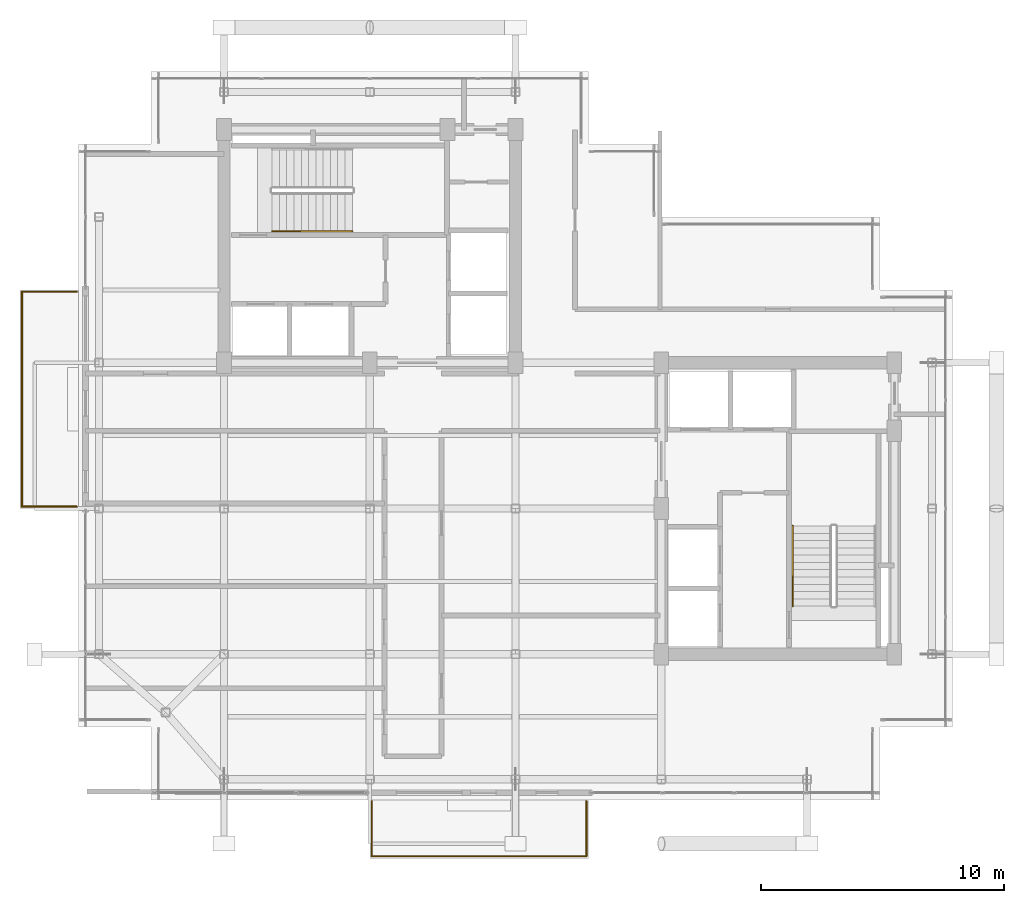
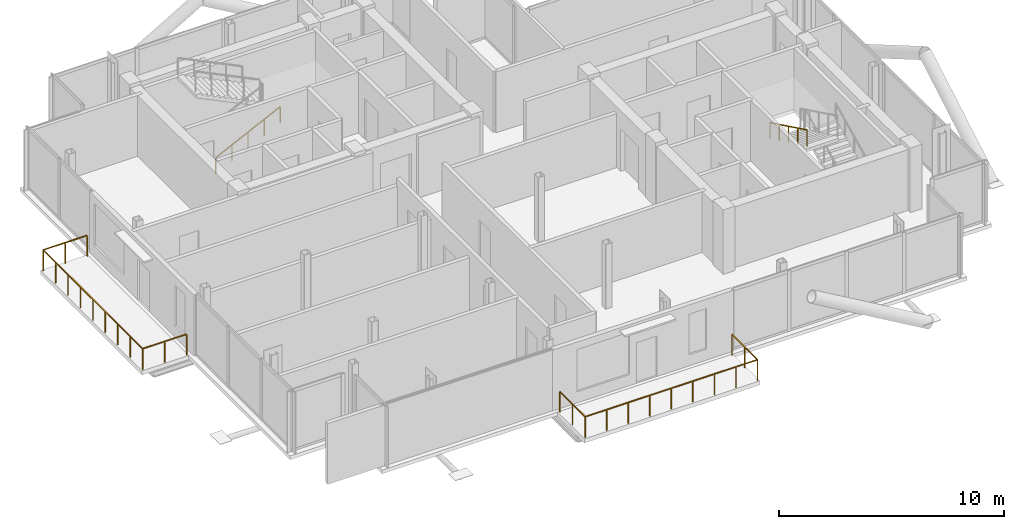
# One storey, part 17 of 18: 4 railings.
"""IFC4 building model written with IfcOpenShell, lengths in metres."""

import ifcopenshell
import ifcopenshell.guid

model = None  # the IFC model being written
_history = None  # IfcOwnerHistory: only IFC2X3 demands one
_inside = {}  # id of a spatial element -> (the spatial element, [elements in it])
_under = {}  # id of a project, library or spatial element -> (it, [spatial elements below it])
_declared = {}  # id of a project -> (the project, [libraries it declares])
_typed = {}  # id of a type object -> (the type object, [elements of that type])
_made_of = {}  # id of a material, layer set ... -> (it, [elements and type objects made of it])


def new_model(schema):
    """Start an empty IFC model of exactly this schema.

    Asked for "IFC4X3", IfcOpenShell would pick the latest addendum, in which some entities
    have other attributes; the version numbers below select the first issue.
    IFC2X3 requires an IfcOwnerHistory on every rooted entity: one is made here for all.
    """
    global model, _history
    if schema == "IFC4X3":
        model = ifcopenshell.file(schema_version=(4, 3, 0, 0))
    else:
        model = ifcopenshell.file(schema=schema)
    _inside.clear()
    _under.clear()
    _declared.clear()
    _typed.clear()
    _made_of.clear()
    _history = None
    if model.schema == "IFC2X3":
        org = make("IfcOrganization", Name="unknown")
        user = make(
            "IfcPersonAndOrganization",
            ThePerson=make("IfcPerson", FamilyName="unknown"),
            TheOrganization=org,
        )
        app = make(
            "IfcApplication",
            ApplicationDeveloper=org,
            Version="unknown",
            ApplicationFullName="unknown",
            ApplicationIdentifier="unknown",
        )
        _history = make(
            "IfcOwnerHistory",
            OwningUser=user,
            OwningApplication=app,
            ChangeAction="ADDED",
            CreationDate=0,
        )
    return model


def make(cls, **values):
    """One entity of the class cls with the attributes given. An attribute that is None is left unset."""
    return model.create_entity(
        cls, **{name: value for name, value in values.items() if value is not None}
    )


def rooted(cls, **values):
    """An entity with a GlobalId (a new one), such as an element, a storey or a relation."""
    return make(cls, GlobalId=ifcopenshell.guid.new(), OwnerHistory=_history, **values)


def si_unit(unit_type, name, prefix=None):
    """IfcSIUnit, for example si_unit("LENGTHUNIT", "METRE", prefix="MILLI")."""
    return make("IfcSIUnit", UnitType=unit_type, Prefix=prefix, Name=name)


def assignment(units):
    """IfcUnitAssignment: the units of a project."""
    return None if units is None else make("IfcUnitAssignment", Units=units)


def point(xyz):
    """IfcCartesianPoint."""
    return None if xyz is None else make("IfcCartesianPoint", Coordinates=xyz)


def direction(xyz):
    """IfcDirection."""
    return None if xyz is None else make("IfcDirection", DirectionRatios=xyz)


def frame(location, z_axis=None, x_axis=None):
    """IfcAxis2Placement3D, a coordinate frame: its origin and axes. An axis left out is left unset."""
    return make(
        "IfcAxis2Placement3D",
        Location=point(location),
        Axis=direction(z_axis),
        RefDirection=direction(x_axis),
    )


def frame_2d(location, x_axis=None):
    """IfcAxis2Placement2D, a coordinate frame in the plane: its origin and x axis."""
    return make(
        "IfcAxis2Placement2D", Location=point(location), RefDirection=direction(x_axis)
    )


def origin():
    """The frame at (0, 0, 0) with its axes left unset."""
    return frame((0.0, 0.0, 0.0))


def origin_2d():
    """The frame at (0, 0) in the plane with its x axis left unset."""
    return frame_2d((0.0, 0.0))


def place(relative_to, where):
    """IfcLocalPlacement: puts the frame where relative to a parent placement (None: the world)."""
    return make(
        "IfcLocalPlacement", PlacementRelTo=relative_to, RelativePlacement=where
    )


def context(
    kind, dimensions, precision=None, world=None, true_north=None, identifier=None
):
    """IfcGeometricRepresentationContext, for example the 3D "Model" context."""
    return make(
        "IfcGeometricRepresentationContext",
        ContextIdentifier=identifier,
        ContextType=kind,
        CoordinateSpaceDimension=dimensions,
        Precision=precision,
        WorldCoordinateSystem=world,
        TrueNorth=true_north,
    )


def subcontext(parent, identifier, kind, view, scale=None):
    """IfcGeometricRepresentationSubContext, for example "Body" below "Model"."""
    return make(
        "IfcGeometricRepresentationSubContext",
        ContextIdentifier=identifier,
        ContextType=kind,
        ParentContext=parent,
        TargetScale=scale,
        TargetView=view,
    )


def project(units=None, contexts=None):
    """IfcProject with its units and contexts."""
    return rooted(
        "IfcProject",
        Name="project",
        RepresentationContexts=contexts,
        UnitsInContext=assignment(units),
    )


def spatial(cls, under=None, at=None, **own):
    """A site, building, storey or space (cls), placed at a placement, below another one or the project."""
    s = rooted(cls, ObjectPlacement=at, **own)
    if under is not None:
        _under.setdefault(under.id(), (under, []))[1].append(s)
    return s


def profile(cls, at=None, kind="AREA", **sizes):
    """A parametric profile (cls). Its sizes go by their IFC names, for example OverallWidth=200.0."""
    return make(cls, ProfileType=kind, Position=at, **sizes)


def rectangle(**sizes):
    """IfcRectangleProfileDef."""
    return profile("IfcRectangleProfileDef", **sizes)


def extrude(swept, where, along, depth):
    """IfcExtrudedAreaSolid: the profile swept, set in the frame where, extruded along a direction by depth."""
    return make(
        "IfcExtrudedAreaSolid",
        SweptArea=swept,
        Position=where,
        ExtrudedDirection=direction(along),
        Depth=depth,
    )


def shape(context_of_items, identifier, shape_type, items):
    """IfcShapeRepresentation: the items that make up one representation, for example the "Body"."""
    return make(
        "IfcShapeRepresentation",
        ContextOfItems=context_of_items,
        RepresentationIdentifier=identifier,
        RepresentationType=shape_type,
        Items=items,
    )


def material(Name=None, Category=None):
    """IfcMaterial."""
    return make("IfcMaterial", Name=Name, Category=Category)


def made_of(thing, what):
    """Note that an element or type object is made of a material, layer set ...; save() writes the relation."""
    if what is not None:
        _made_of.setdefault(what.id(), (what, []))[1].append(thing)
    return thing


def type_object(cls, material=None, **own):
    """A type object (cls), such as IfcWallType, which elements share."""
    return made_of(rooted(cls, **own), material)


def element(
    cls,
    number,
    at=None,
    inside=None,
    cuts=None,
    type_object=None,
    material=None,
    context=None,
    identifier="Body",
    shape_type=None,
    held_by="IfcProductDefinitionShape",
    body=None,
    shapes=None,
    **own,
):
    """One element of the class cls, such as IfcWall. Its Tag is "e" and its number.

    at: its placement. inside: the storey or other place that contains it. cuts: it is an
    opening in that element (IfcRelVoidsElement). A single representation is given by context,
    identifier, shape_type and body (its items); several are given by shapes. held_by: the class
    of the entity that holds the representations. save() writes the other relations.
    """
    e = rooted(cls, Tag="e%d" % number, ObjectPlacement=at, **own)
    if body is not None:
        shapes = [shape(context, identifier, shape_type, body)]
    if shapes is not None:
        e.Representation = make(held_by, Representations=shapes)
    if inside is not None:
        _inside.setdefault(inside.id(), (inside, []))[1].append(e)
    if cuts is not None:
        rooted(
            "IfcRelVoidsElement", RelatingBuildingElement=cuts, RelatedOpeningElement=e
        )
    if type_object is not None:
        _typed.setdefault(type_object.id(), (type_object, []))[1].append(e)
    return made_of(e, material)


def aggregate(whole, parts):
    """IfcRelAggregates: a whole, such as a stair, and the parts it consists of."""
    return rooted("IfcRelAggregates", RelatingObject=whole, RelatedObjects=parts)


def save(model, path):
    """Write the relations noted so far, then the file.

    IfcRelAggregates (storeys below a building ...), IfcRelContainedInSpatialStructure (elements
    in a storey), IfcRelDefinesByType, IfcRelAssociatesMaterial and IfcRelDeclares: one each for
    every whole, place, type object, material and project.
    """
    for whole, parts in _under.values():
        aggregate(whole, parts)
    for where, things in _inside.values():
        rooted(
            "IfcRelContainedInSpatialStructure",
            RelatedElements=things,
            RelatingStructure=where,
        )
    for kind, things in _typed.values():
        rooted("IfcRelDefinesByType", RelatedObjects=things, RelatingType=kind)
    for what, things in _made_of.values():
        rooted("IfcRelAssociatesMaterial", RelatedObjects=things, RelatingMaterial=what)
    for by, libraries in _declared.values():
        rooted("IfcRelDeclares", RelatingContext=by, RelatedDefinitions=libraries)
    model.write(path)


model = new_model("IFC4")

# Units and contexts
model_context = context("Model", 3, precision=1e-05, world=origin(), true_north=direction((0.0, 1.0)))
body_context = subcontext(model_context, "Body", "Model", "MODEL_VIEW")
ifc_project = project(units=[si_unit("LENGTHUNIT", "METRE"), si_unit("AREAUNIT", "SQUARE_METRE"), si_unit("VOLUMEUNIT", "CUBIC_METRE"), si_unit("PLANEANGLEUNIT", "RADIAN"), si_unit("MASSUNIT", "GRAM", prefix="KILO"), si_unit("THERMODYNAMICTEMPERATUREUNIT", "KELVIN"), si_unit("POWERUNIT", "WATT")], contexts=[model_context])

# Site, building, storey
site_placement = place(None, origin())
site = spatial("IfcSite", under=ifc_project, at=site_placement, CompositionType="ELEMENT")
building_placement = place(site_placement, origin())
building = spatial("IfcBuilding", under=site, at=building_placement, Name="Svarakhadi Broadcast Tower", CompositionType="ELEMENT")
storey_placement = place(building_placement, frame((0.0, 0.0, 278.199951171875)))
storey = spatial("IfcBuildingStorey", under=building, at=storey_placement, Name="L70", CompositionType="ELEMENT", Elevation=278.199951171875)

# Railings
ifc_material_1 = material(Name="Laminated Structural SentryGlas Balustrade 25.5 mm", Category="glass")
railing_type_1 = type_object("IfcRailingType", Name="Guard_Balcony_GR01", PredefinedType="BALUSTRADE", material=ifc_material_1)
railing_1_placement = place(storey_placement, frame((12.080078125, -0.06005859375, 0.0)))
element("IfcRailing", 1, at=railing_1_placement, inside=storey, type_object=railing_type_1, Name="L70 South Tree Balcony Guard GR-05", PredefinedType="BALUSTRADE", context=body_context, shape_type="SweptSolid", body=[
    extrude(rectangle(XDim=0.048095703125, YDim=0.048095703125, at=origin_2d()), frame((0.0, 0.0, 1.1259765625), z_axis=(0.0, -1.0, 0.0), x_axis=(1.0, 0.0, 0.0)), (0.0, 0.0, 1.0), 2.260009765625),
    extrude(rectangle(XDim=0.048095703125, YDim=0.048095703125, at=origin_2d()), frame((0.0, -2.260009765625, 1.1259765625), z_axis=(1.0, 0.0, 0.0), x_axis=(0.0, 1.0, 0.0)), (0.0, 0.0, 1.0), 8.83984375),
    extrude(rectangle(XDim=0.048095703125, YDim=0.048095703125, at=origin_2d()), frame((8.83984375, -2.260009765625, 1.1259765625), z_axis=(0.0, 1.0, 0.0), x_axis=(-1.0, 0.0, 0.0)), (0.0, 0.0, 1.0), 2.260009765625),
    extrude(rectangle(XDim=0.0419921875, YDim=0.0419921875, at=origin_2d()), origin(), (0.0, 0.0, 1.0), 1.101806640625),
    extrude(rectangle(XDim=0.0419921875, YDim=0.0419921875, at=origin_2d()), frame((0.0, -1.1298828125, 0.0)), (0.0, 0.0, 1.0), 1.101806640625),
    extrude(rectangle(XDim=0.0419921875, YDim=0.0419921875, at=origin_2d()), frame((0.0, -2.260009765625, 0.0)), (0.0, 0.0, 1.0), 1.101806640625),
    extrude(rectangle(XDim=0.0419921875, YDim=0.0419921875, at=origin_2d()), frame((1.10498046875, -2.260009765625, 0.0)), (0.0, 0.0, 1.0), 1.101806640625),
    extrude(rectangle(XDim=0.0419921875, YDim=0.0419921875, at=origin_2d()), frame((2.2099609375, -2.260009765625, 0.0)), (0.0, 0.0, 1.0), 1.101806640625),
    extrude(rectangle(XDim=0.0419921875, YDim=0.0419921875, at=origin_2d()), frame((3.31494140625, -2.260009765625, 0.0)), (0.0, 0.0, 1.0), 1.101806640625),
    extrude(rectangle(XDim=0.0419921875, YDim=0.0419921875, at=origin_2d()), frame((4.419921875, -2.260009765625, 0.0)), (0.0, 0.0, 1.0), 1.101806640625),
    extrude(rectangle(XDim=0.0419921875, YDim=0.0419921875, at=origin_2d()), frame((5.52490234375, -2.260009765625, 0.0)), (0.0, 0.0, 1.0), 1.101806640625),
    extrude(rectangle(XDim=0.0419921875, YDim=0.0419921875, at=origin_2d()), frame((6.6298828125, -2.260009765625, 0.0)), (0.0, 0.0, 1.0), 1.101806640625),
    extrude(rectangle(XDim=0.0419921875, YDim=0.0419921875, at=origin_2d()), frame((7.73486328125, -2.260009765625, 0.0)), (0.0, 0.0, 1.0), 1.101806640625),
    extrude(rectangle(XDim=0.0419921875, YDim=0.0419921875, at=origin_2d()), frame((8.83984375, -2.260009765625, 0.0)), (0.0, 0.0, 1.0), 1.101806640625),
    extrude(rectangle(XDim=0.0419921875, YDim=0.0419921875, at=origin_2d()), frame((8.83984375, -1.1298828125, 0.0)), (0.0, 0.0, 1.0), 1.101806640625),
    extrude(rectangle(XDim=0.0419921875, YDim=0.0419921875, at=origin_2d()), frame((8.83984375, 0.0, 0.0)), (0.0, 0.0, 1.0), 1.101806640625),
])
railing_2_placement = place(storey_placement, frame((-0.06005859375, 12.080078125, 0.0)))
element("IfcRailing", 2, at=railing_2_placement, inside=storey, type_object=railing_type_1, Name="L70 West Tree Balcony Guard GR-05", PredefinedType="BALUSTRADE", context=body_context, shape_type="SweptSolid", body=[
    extrude(rectangle(XDim=0.048095703125, YDim=0.048095703125, at=origin_2d()), frame((0.0, 0.0, 1.1259765625), z_axis=(-1.0, 0.0, 0.0), x_axis=(0.0, -1.0, 0.0)), (0.0, 0.0, 1.0), 2.260009765625),
    extrude(rectangle(XDim=0.048095703125, YDim=0.048095703125, at=origin_2d()), frame((-2.260009765625, 0.0, 1.1259765625), z_axis=(0.0, 1.0, 0.0), x_axis=(-1.0, 0.0, 0.0)), (0.0, 0.0, 1.0), 8.83984375),
    extrude(rectangle(XDim=0.048095703125, YDim=0.048095703125, at=origin_2d()), frame((-2.260009765625, 8.83984375, 1.1259765625), z_axis=(1.0, 0.0, 0.0), x_axis=(0.0, 1.0, 0.0)), (0.0, 0.0, 1.0), 2.260009765625),
    extrude(rectangle(XDim=0.0419921875, YDim=0.0419921875, at=origin_2d()), origin(), (0.0, 0.0, 1.0), 1.101806640625),
    extrude(rectangle(XDim=0.0419921875, YDim=0.0419921875, at=origin_2d()), frame((-1.1298828125, 0.0, 0.0)), (0.0, 0.0, 1.0), 1.101806640625),
    extrude(rectangle(XDim=0.0419921875, YDim=0.0419921875, at=origin_2d()), frame((-2.260009765625, 0.0, 0.0)), (0.0, 0.0, 1.0), 1.101806640625),
    extrude(rectangle(XDim=0.0419921875, YDim=0.0419921875, at=origin_2d()), frame((-2.260009765625, 1.10498046875, 0.0)), (0.0, 0.0, 1.0), 1.101806640625),
    extrude(rectangle(XDim=0.0419921875, YDim=0.0419921875, at=origin_2d()), frame((-2.260009765625, 2.2099609375, 0.0)), (0.0, 0.0, 1.0), 1.101806640625),
    extrude(rectangle(XDim=0.0419921875, YDim=0.0419921875, at=origin_2d()), frame((-2.260009765625, 3.31494140625, 0.0)), (0.0, 0.0, 1.0), 1.101806640625),
    extrude(rectangle(XDim=0.0419921875, YDim=0.0419921875, at=origin_2d()), frame((-2.260009765625, 4.419921875, 0.0)), (0.0, 0.0, 1.0), 1.101806640625),
    extrude(rectangle(XDim=0.0419921875, YDim=0.0419921875, at=origin_2d()), frame((-2.260009765625, 5.52490234375, 0.0)), (0.0, 0.0, 1.0), 1.101806640625),
    extrude(rectangle(XDim=0.0419921875, YDim=0.0419921875, at=origin_2d()), frame((-2.260009765625, 6.6298828125, 0.0)), (0.0, 0.0, 1.0), 1.101806640625),
    extrude(rectangle(XDim=0.0419921875, YDim=0.0419921875, at=origin_2d()), frame((-2.260009765625, 7.73486328125, 0.0)), (0.0, 0.0, 1.0), 1.101806640625),
    extrude(rectangle(XDim=0.0419921875, YDim=0.0419921875, at=origin_2d()), frame((-2.260009765625, 8.83984375, 0.0)), (0.0, 0.0, 1.0), 1.101806640625),
    extrude(rectangle(XDim=0.0419921875, YDim=0.0419921875, at=origin_2d()), frame((-1.1298828125, 8.83984375, 0.0)), (0.0, 0.0, 1.0), 1.101806640625),
    extrude(rectangle(XDim=0.0419921875, YDim=0.0419921875, at=origin_2d()), frame((0.0, 8.83984375, 0.0)), (0.0, 0.0, 1.0), 1.101806640625),
])
ifc_material_2 = material(Name="Anodised Bronze Aluminium AA 6063-T6", Category="aluminium")
railing_type_2 = type_object("IfcRailingType", Name="Handrail_Stair_HR01", PredefinedType="HANDRAIL", material=ifc_material_2)
railing_3_placement = place(storey_placement, frame((7.97998046875, 23.409912109375, 0.14599609375)))
element("IfcRailing", 3, at=railing_3_placement, inside=storey, type_object=railing_type_2, Name="L70 ST-01 stair handrail 1", PredefinedType="HANDRAIL", context=body_context, shape_type="SweptSolid", body=[
    extrude(rectangle(XDim=0.048095703125, YDim=0.048095703125, at=origin_2d()), frame((0.0, 0.0, 0.8759765625), z_axis=(0.899387838337, 0.0, 0.437151594131), x_axis=(0.0, 1.0, 0.0)), (0.0, 0.0, 1.0), 3.669189453125),
    extrude(rectangle(XDim=0.0419921875, YDim=0.0419921875, at=origin_2d()), origin(), (0.0, 0.0, 1.0), 0.851806640625),
    extrude(rectangle(XDim=0.0419921875, YDim=0.0419921875, at=origin_2d()), frame((0.824951171875, 0.0, 0.40087890625)), (0.0, 0.0, 1.0), 0.851806640625),
    extrude(rectangle(XDim=0.0419921875, YDim=0.0419921875, at=origin_2d()), frame((1.64990234375, 0.0, 0.802001953125)), (0.0, 0.0, 1.0), 0.851806640625),
    extrude(rectangle(XDim=0.0419921875, YDim=0.0419921875, at=origin_2d()), frame((2.47509765625, 0.0, 1.203125)), (0.0, 0.0, 1.0), 0.851806640625),
    extrude(rectangle(XDim=0.0419921875, YDim=0.0419921875, at=origin_2d()), frame((3.300048828125, 0.0, 1.60400390625)), (0.0, 0.0, 1.0), 0.851806640625),
])
railing_4_placement = place(storey_placement, frame((29.409912109375, 11.280029296875, 1.89599609375)))
element("IfcRailing", 4, at=railing_4_placement, inside=storey, type_object=railing_type_2, Name="L70 ST-02 stair handrail 2", PredefinedType="HANDRAIL", context=body_context, shape_type="SweptSolid", body=[
    extrude(rectangle(XDim=0.048095703125, YDim=0.048095703125, at=origin_2d()), frame((0.0, 0.0, 0.8759765625), z_axis=(0.0, -0.899387838337, 0.437151594131), x_axis=(1.0, 0.0, 0.0)), (0.0, 0.0, 1.0), 3.669189453125),
    extrude(rectangle(XDim=0.0419921875, YDim=0.0419921875, at=origin_2d()), origin(), (0.0, 0.0, 1.0), 0.851806640625),
    extrude(rectangle(XDim=0.0419921875, YDim=0.0419921875, at=origin_2d()), frame((0.0, -0.824951171875, 0.40087890625)), (0.0, 0.0, 1.0), 0.851806640625),
    extrude(rectangle(XDim=0.0419921875, YDim=0.0419921875, at=origin_2d()), frame((0.0, -1.64990234375, 0.802001953125)), (0.0, 0.0, 1.0), 0.851806640625),
    extrude(rectangle(XDim=0.0419921875, YDim=0.0419921875, at=origin_2d()), frame((0.0, -2.47509765625, 1.203125)), (0.0, 0.0, 1.0), 0.851806640625),
    extrude(rectangle(XDim=0.0419921875, YDim=0.0419921875, at=origin_2d()), frame((0.0, -3.300048828125, 1.60400390625)), (0.0, 0.0, 1.0), 0.851806640625),
])

save(model, "model.ifc")
